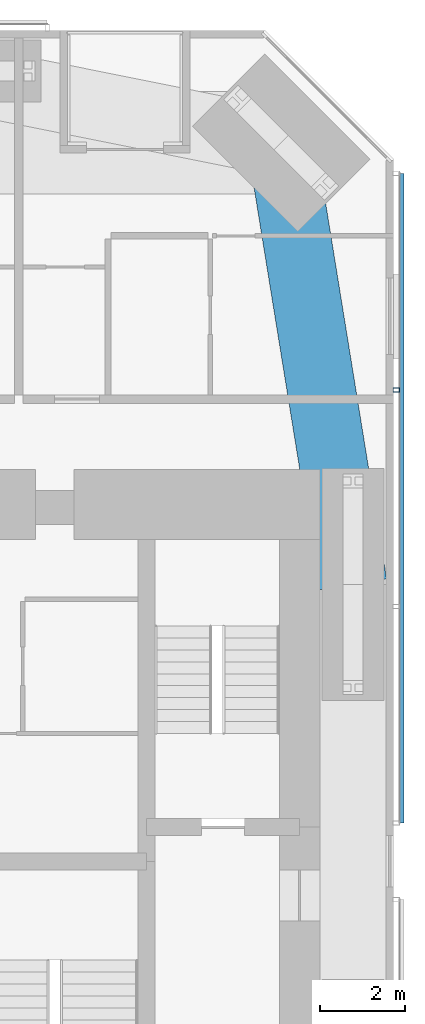
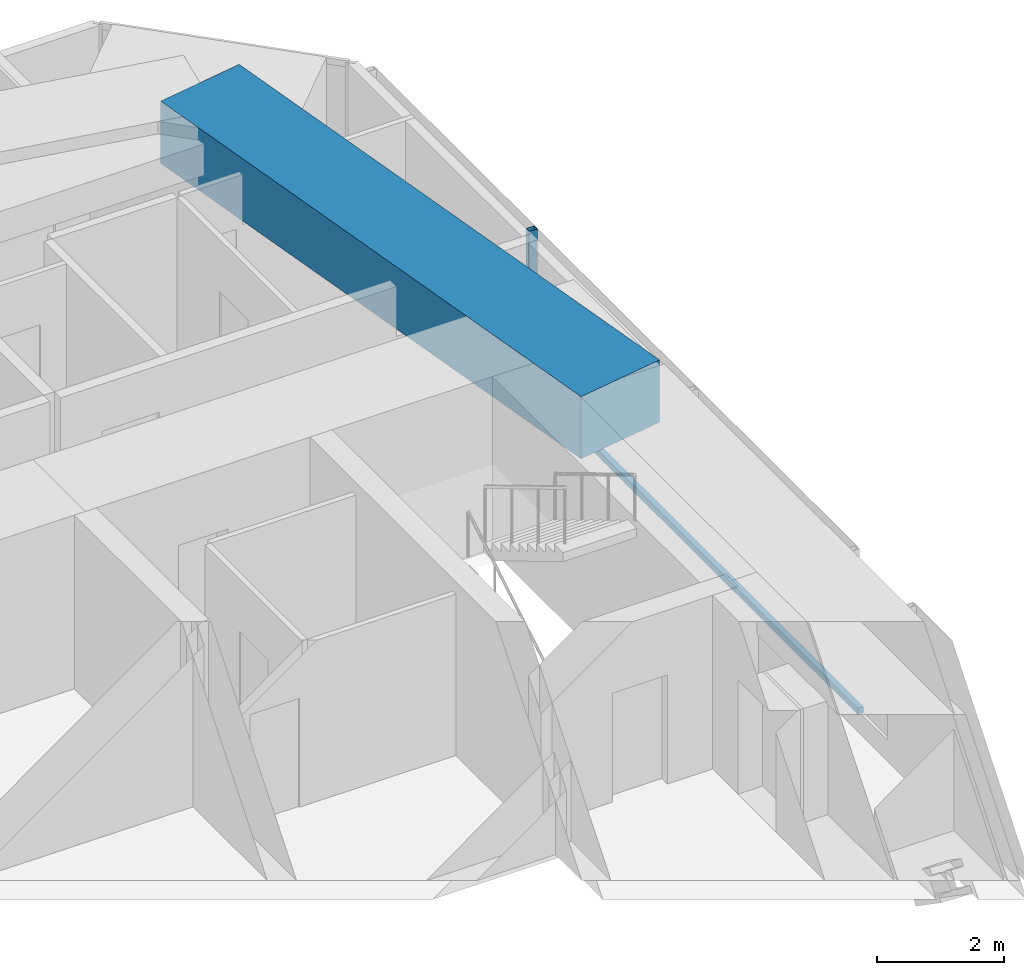
# One storey, part 10 of 23: 2 members, 1 beam, 1 element without a shape of its own.
"""IFC4 building model written with IfcOpenShell, lengths in metres."""

from ifc_helpers import new_model, si_unit, direction, frame, origin, origin_2d, place, context, subcontext, project, spatial, rectangle, hollow_rectangle, extrude, material, material_profile, profile_set, type_object, element, aggregate, save


model = new_model("IFC4")

# Units and contexts
model_context = context("Model", 3, precision=1e-05, world=origin(), true_north=direction((0.0, 1.0)))
body_context = subcontext(model_context, "Body", "Model", "MODEL_VIEW")
ifc_project = project(units=[si_unit("LENGTHUNIT", "METRE"), si_unit("AREAUNIT", "SQUARE_METRE"), si_unit("VOLUMEUNIT", "CUBIC_METRE"), si_unit("PLANEANGLEUNIT", "RADIAN"), si_unit("MASSUNIT", "GRAM", prefix="KILO")], contexts=[model_context])

# Site, building, storey
site_placement = place(None, origin())
site = spatial("IfcSite", under=ifc_project, at=site_placement, CompositionType="ELEMENT")
building_placement = place(site_placement, origin())
building = spatial("IfcBuilding", under=site, at=building_placement, Name="Jalousie Tower", CompositionType="ELEMENT")
storey_placement = place(building_placement, frame((0.0, 0.0, 31.050048828125)))
storey = spatial("IfcBuildingStorey", under=building, at=storey_placement, Name="L07", CompositionType="ELEMENT", Elevation=31.050048828125)

# Beam
ifc_material_1 = material(Name="Concrete f'c 40 MPa", Category="concrete")
ifc_material_profile_1 = material_profile(ifc_material_1, rectangle(XDim=1.60009765625, YDim=1.199951171875, at=origin_2d()), Name="RC 1600x1200")
ifc_profile_set_1 = profile_set([ifc_material_profile_1], Name="Concrete f'c 40 MPa")
beam_type = type_object("IfcBeamType", Name="RC BEAM 1600x1200", PredefinedType="BEAM", material=ifc_profile_set_1)
beam_placement = place(storey_placement, frame((45.050048828125, 25.0, 2.75), z_axis=(-0.160070546476, 0.987105577003, 0.0), x_axis=(-0.987105577003, -0.160070546476, 0.0)))
element("IfcBeam", 1, at=beam_placement, inside=storey, type_object=beam_type, Name="Edge band beam 07-08 under L08", PredefinedType="BEAM", context=body_context, shape_type="SweptSolid", body=[
    extrude(rectangle(XDim=1.60009765625, YDim=1.199951171875, at=origin_2d()), origin(), (0.0, 0.0, 1.0), 10.504150390625),
])

# Curtain wall, members
ifc_material_2 = material(Name="Perforated aluminium sheet", Category="aluminium")
curtain_wall_type = type_object("IfcCurtainWallType", Name="SOLAR SCREEN SS-1", PredefinedType="USERDEFINED", material=ifc_material_2)
curtain_wall_placement = place(storey_placement, origin())
curtain_wall = element("IfcCurtainWall", 2, at=curtain_wall_placement, inside=storey, type_object=curtain_wall_type, Name="Solar screen L07", ObjectType="SOLAR SCREEN SS-1", PredefinedType="USERDEFINED")
ifc_material_3 = material(Name="Steel ASTM A500 Grade C", Category="steel")
ifc_material_profile_2 = material_profile(ifc_material_3, hollow_rectangle(XDim=0.1015625, YDim=0.15234375, WallThickness=0.00634765625, at=origin_2d()), Name="HSS6X4X1/4")
ifc_profile_set_2 = profile_set([ifc_material_profile_2], Name="Steel ASTM A500 Grade C")
member_type_1 = type_object("IfcMemberType", Name="SOLAR SCREEN SS-1 MULLION", PredefinedType="MULLION", material=ifc_profile_set_2)
member_1_placement = place(storey_placement, frame((46.0712890625, 29.56591796875, -0.1201171875), z_axis=(0.0, 0.0, 1.0), x_axis=(0.0, 1.0, 0.0)))
member_1 = element("IfcMember", 3, at=member_1_placement, type_object=member_type_1, Name="SS1 post 3", PredefinedType="MULLION", context=body_context, shape_type="SweptSolid", body=[
    extrude(hollow_rectangle(XDim=0.1015625, YDim=0.15234375, WallThickness=0.00634765625, at=origin_2d()), origin(), (0.0, 0.0, 1.0), 3.22998046875),
])
ifc_material_4 = material(Name="Extruded aluminium screen rail", Category="aluminium")
ifc_material_profile_3 = material_profile(ifc_material_4, rectangle(XDim=0.1015625, YDim=0.1201171875, at=origin_2d()), Name="RAIL 102x120")
ifc_profile_set_3 = profile_set([ifc_material_profile_3], Name="Extruded aluminium screen rail")
member_type_2 = type_object("IfcMemberType", Name="SOLAR SCREEN SS-1 TRANSOM", PredefinedType="USERDEFINED", material=ifc_profile_set_3)
member_2_placement = place(storey_placement, frame((46.1982421875, 19.39990234375, -0.06005859375), z_axis=(0.0, 1.0, 0.0), x_axis=(-1.0, 0.0, 0.0)))
member_2 = element("IfcMember", 4, at=member_2_placement, type_object=member_type_2, Name="SS1 rail", ObjectType="TRANSOM", PredefinedType="USERDEFINED", context=body_context, shape_type="SweptSolid", body=[
    extrude(rectangle(XDim=0.1015625, YDim=0.1201171875, at=origin_2d()), origin(), (0.0, 0.0, 1.0), 15.248779296875),
])
aggregate(curtain_wall, [member_1, member_2])

save(model, "model.ifc")
